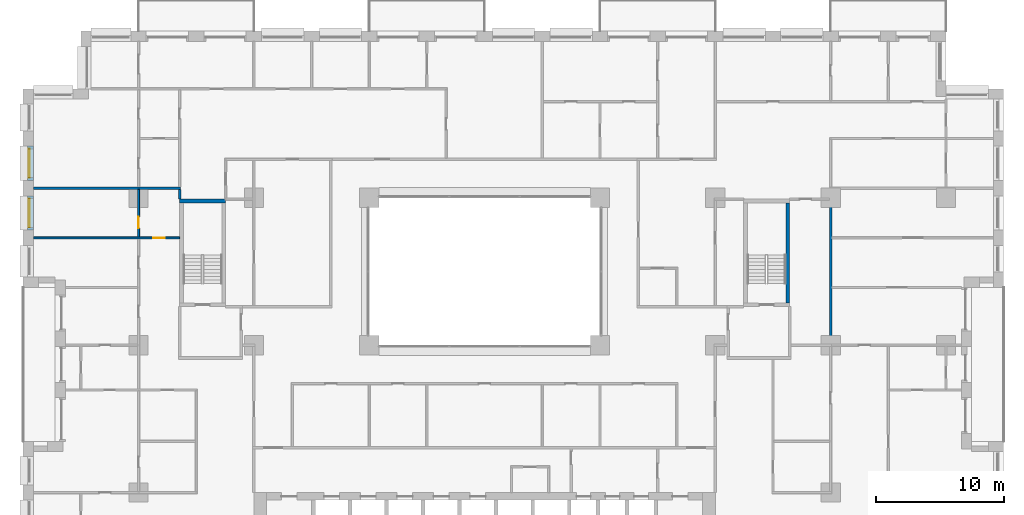
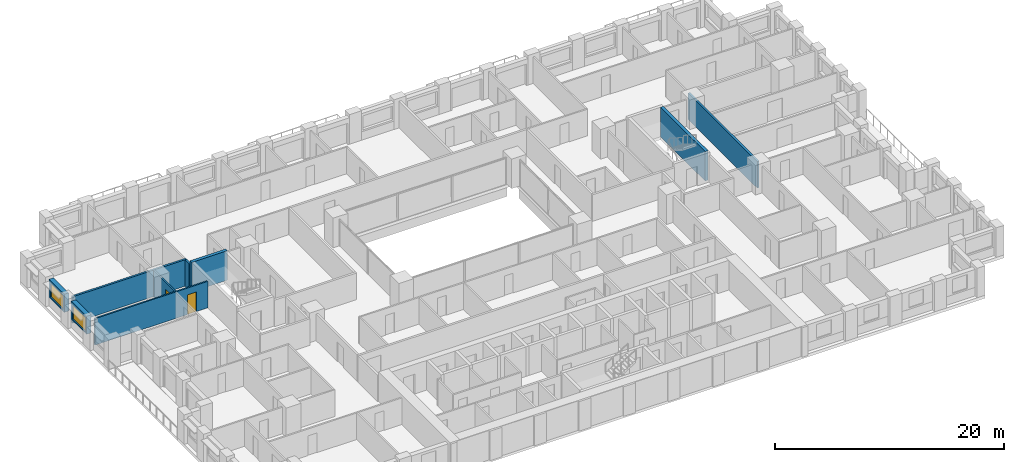
# One storey, part 13 of 20: 9 walls, 2 doors, 2 windows, 4 openings.
"""IFC4 building model written with IfcOpenShell, lengths in metres."""

from ifc_helpers import new_model, si_unit, direction, frame, frame_2d, origin, place, context, subcontext, project, spatial, rectangle, extrude, material, layer, layer_set, type_object, element, fill, save


model = new_model("IFC4")

# Units and contexts
model_context = context("Model", 3, precision=1e-05, world=origin(), true_north=direction((0.0, 1.0)))
body_context = subcontext(model_context, "Body", "Model", "MODEL_VIEW")
ifc_project = project(units=[si_unit("LENGTHUNIT", "METRE"), si_unit("AREAUNIT", "SQUARE_METRE"), si_unit("VOLUMEUNIT", "CUBIC_METRE"), si_unit("PLANEANGLEUNIT", "RADIAN"), si_unit("MASSUNIT", "GRAM", prefix="KILO")], contexts=[model_context])

# Site, building, storey
site_placement = place(None, origin())
site = spatial("IfcSite", under=ifc_project, at=site_placement, CompositionType="ELEMENT")
building_placement = place(site_placement, origin())
building = spatial("IfcBuilding", under=site, at=building_placement, Name="Brigalow Station Residences", CompositionType="ELEMENT")
storey_placement = place(building_placement, frame((0.0, 0.0, 44.699951171875)))
storey = spatial("IfcBuildingStorey", under=building, at=storey_placement, Name="L12", CompositionType="ELEMENT", Elevation=44.699951171875)

# Wall, opening, window
ifc_material_1 = material(Name="Clay brick masonry", Category="masonry")
ifc_layer_1 = layer(ifc_material_1, 0.449951171875)
ifc_layer_set_1 = layer_set([ifc_layer_1], Name="BRICK INFILL WALL 450")
wall_type_1 = type_object("IfcWallType", Name="BRICK INFILL WALL 450", PredefinedType="SOLIDWALL", material=ifc_layer_set_1)
wall_1_placement = place(storey_placement, frame((0.574951171875, 39.52490234375, 0.900146484375), z_axis=(0.0, 0.0, 1.0), x_axis=(0.0, -1.0, 0.0)))
wall_1 = element("IfcWall", 1, at=wall_1_placement, inside=storey, type_object=wall_type_1, Name="L12/ewall/W-L12-43", PredefinedType="SOLIDWALL", context=body_context, shape_type="SweptSolid", body=[
    extrude(rectangle(XDim=2.6748046875, YDim=0.449951171875, at=frame_2d((1.33740234375, 0.0))), origin(), (0.0, 0.0, 1.0), 1.929931640625),
])
opening_1_placement = place(wall_1_placement, frame((0.21240234375, 0.0, 0.14990234375)))
opening_1 = element("IfcOpeningElement", 2, at=opening_1_placement, cuts=wall_1, Name="Opening WT-6", PredefinedType="OPENING", context=body_context, shape_type="SweptSolid", body=[
    extrude(rectangle(XDim=2.25, YDim=1.5, at=frame_2d((1.125, 0.75))), frame((0.0, 0.23486328125, 0.0), z_axis=(0.0, -1.0, 0.0), x_axis=(1.0, 0.0, 0.0)), (0.0, 0.0, 1.0), 0.469970703125),
])
ifc_material_2 = material(Name="Anodised aluminium frame with double glazing", Category="aluminium")
window_type = type_object("IfcWindowType", Name="WINDOW 2250x1500", PartitioningType="SINGLE_PANEL", PredefinedType="WINDOW", material=ifc_material_2)
window_1_placement = place(opening_1_placement, origin())
window_1 = element("IfcWindow", 3, at=window_1_placement, inside=storey, type_object=window_type, Name="L12/window/W-L12-43", OverallHeight=1.5, OverallWidth=2.25, PartitioningType="SINGLE_PANEL", PredefinedType="WINDOW", context=body_context, shape_type="SweptSolid", body=[
    extrude(rectangle(XDim=2.25, YDim=1.5, at=frame_2d((1.125, 0.75))), frame((0.0, -0.06494140625, 0.0), z_axis=(0.0, -1.0, 0.0), x_axis=(1.0, 0.0, 0.0)), (0.0, 0.0, 1.0), 0.06005859375),
])
fill(opening_1, window_1)

wall_2_placement = place(storey_placement, frame((0.574951171875, 35.64990234375, 0.900146484375), z_axis=(0.0, 0.0, 1.0), x_axis=(0.0, -1.0, 0.0)))
wall_2 = element("IfcWall", 4, at=wall_2_placement, inside=storey, type_object=wall_type_1, Name="L12/ewall/W-L12-44", PredefinedType="SOLIDWALL", context=body_context, shape_type="SweptSolid", body=[
    extrude(rectangle(XDim=2.6748046875, YDim=0.449951171875, at=frame_2d((1.33740234375, 0.0))), origin(), (0.0, 0.0, 1.0), 1.929931640625),
])
opening_2_placement = place(wall_2_placement, frame((0.21240234375, 0.0, 0.14990234375)))
opening_2 = element("IfcOpeningElement", 5, at=opening_2_placement, cuts=wall_2, Name="Opening WT-6", PredefinedType="OPENING", context=body_context, shape_type="SweptSolid", body=[
    extrude(rectangle(XDim=2.25, YDim=1.5, at=frame_2d((1.125, 0.75))), frame((0.0, 0.23486328125, 0.0), z_axis=(0.0, -1.0, 0.0), x_axis=(1.0, 0.0, 0.0)), (0.0, 0.0, 1.0), 0.469970703125),
])
window_2_placement = place(opening_2_placement, origin())
window_2 = element("IfcWindow", 6, at=window_2_placement, inside=storey, type_object=window_type, Name="L12/window/W-L12-44", OverallHeight=1.5, OverallWidth=2.25, PartitioningType="SINGLE_PANEL", PredefinedType="WINDOW", context=body_context, shape_type="SweptSolid", body=[
    extrude(rectangle(XDim=2.25, YDim=1.5, at=frame_2d((1.125, 0.75))), frame((0.0, -0.06494140625, 0.0), z_axis=(0.0, -1.0, 0.0), x_axis=(1.0, 0.0, 0.0)), (0.0, 0.0, 1.0), 0.06005859375),
])
fill(opening_2, window_2)

# Walls
ifc_material_3 = material(Name="Concrete C80", Category="concrete")
ifc_layer_2 = layer(ifc_material_3, 0.300048828125)
ifc_layer_set_2 = layer_set([ifc_layer_2], Name="CORE SHEAR WALL 300 C80")
wall_type_2 = type_object("IfcWallType", Name="CORE SHEAR WALL 300 C80", PredefinedType="SHEAR", material=ifc_layer_set_2)
wall_3_placement = place(storey_placement, frame((12.199951171875, 35.25, 0.0), z_axis=(0.0, 0.0, 1.0), x_axis=(1.0, 0.0, 0.0)))
element("IfcWall", 7, at=wall_3_placement, inside=storey, type_object=wall_type_2, Name="CORE WALL ST-S1-N L12", PredefinedType="SHEAR", context=body_context, shape_type="SweptSolid", body=[
    extrude(rectangle(XDim=3.60009765625, YDim=0.300048828125, at=frame_2d((1.800048828125, 0.0))), origin(), (0.0, 0.0, 1.0), 3.150146484375),
])
wall_4_placement = place(storey_placement, frame((59.64990234375, 27.300048828125, 0.0), z_axis=(0.0, 0.0, 1.0), x_axis=(0.0, 1.0, 0.0)))
element("IfcWall", 8, at=wall_4_placement, inside=storey, type_object=wall_type_2, Name="CORE WALL ST-S3-E L12", PredefinedType="SHEAR", context=body_context, shape_type="SweptSolid", body=[
    extrude(rectangle(XDim=7.800048828125, YDim=0.300048828125, at=frame_2d((3.89990234375, 0.0))), origin(), (0.0, 0.0, 1.0), 3.150146484375),
])

# Wall, opening, door
ifc_material_4 = material(Name="Plasterboard on steel stud partition", Category="steel")
ifc_layer_3 = layer(ifc_material_4, 0.14990234375)
ifc_layer_set_3 = layer_set([ifc_layer_3], Name="FLAT PARTITION 150")
wall_type_3 = type_object("IfcWallType", Name="FLAT PARTITION 150", PredefinedType="PARTITIONING", material=ifc_layer_set_3)
wall_5_placement = place(storey_placement, frame((0.800048828125, 32.375, 0.0), z_axis=(0.0, 0.0, 1.0), x_axis=(1.0, 0.0, 0.0)))
wall_5 = element("IfcWall", 9, at=wall_5_placement, inside=storey, type_object=wall_type_3, Name="PW-1C19", PredefinedType="PARTITIONING", context=body_context, shape_type="SweptSolid", body=[
    extrude(rectangle(XDim=11.39990234375, YDim=0.14990234375, at=frame_2d((5.699951171875, 0.0))), origin(), (0.0, 0.0, 1.0), 2.830078125),
])
opening_3_placement = place(wall_5_placement, frame((9.35009765625, 0.0, 0.0)))
opening_3 = element("IfcOpeningElement", 10, at=opening_3_placement, cuts=wall_5, Name="Opening D-1C13", PredefinedType="OPENING", context=body_context, shape_type="SweptSolid", body=[
    extrude(rectangle(XDim=0.89990234375, YDim=2.10009765625, at=frame_2d((0.449951171875, 1.050048828125))), frame((0.0, 0.0849609375, 0.0), z_axis=(0.0, -1.0, 0.0), x_axis=(1.0, 0.0, 0.0)), (0.0, 0.0, 1.0), 0.169921875),
])
ifc_material_5 = material(Name="Solid-core timber door leaf", Category="wood")
door_type = type_object("IfcDoorType", Name="INTERNAL DOOR 900 x 2100", OperationType="SINGLE_SWING_LEFT", PredefinedType="DOOR", material=ifc_material_5)
door_1_placement = place(opening_3_placement, origin())
door_1 = element("IfcDoor", 11, at=door_1_placement, inside=storey, type_object=door_type, Name="D-1C13", OperationType="SINGLE_SWING_LEFT", OverallHeight=2.10009765625, OverallWidth=0.89990234375, PredefinedType="DOOR", context=body_context, shape_type="SweptSolid", body=[
    extrude(rectangle(XDim=0.89990234375, YDim=2.10009765625, at=frame_2d((0.449951171875, 1.050048828125))), frame((0.0, 0.02490234375, 0.0), z_axis=(0.0, -1.0, 0.0), x_axis=(1.0, 0.0, 0.0)), (0.0, 0.0, 1.0), 0.050048828125),
])
fill(opening_3, door_1)

wall_6_placement = place(storey_placement, frame((9.0, 32.449951171875, 0.0), z_axis=(0.0, 0.0, 1.0), x_axis=(0.0, 1.0, 0.0)))
wall_6 = element("IfcWall", 12, at=wall_6_placement, inside=storey, type_object=wall_type_3, Name="PW-1C55", PredefinedType="PARTITIONING", context=body_context, shape_type="SweptSolid", body=[
    extrude(rectangle(XDim=3.699951171875, YDim=0.14990234375, at=frame_2d((1.85009765625, 0.0))), origin(), (0.0, 0.0, 1.0), 2.830078125),
])
opening_4_placement = place(wall_6_placement, frame((0.662109375, 0.0, 0.0)))
opening_4 = element("IfcOpeningElement", 13, at=opening_4_placement, cuts=wall_6, Name="Opening D-1C16", PredefinedType="OPENING", context=body_context, shape_type="SweptSolid", body=[
    extrude(rectangle(XDim=0.89990234375, YDim=2.10009765625, at=frame_2d((0.449951171875, 1.050048828125))), frame((0.0, 0.0849609375, 0.0), z_axis=(0.0, -1.0, 0.0), x_axis=(1.0, 0.0, 0.0)), (0.0, 0.0, 1.0), 0.169921875),
])
door_2_placement = place(opening_4_placement, frame((0.89990234375, 0.0, 0.0), z_axis=(0.0, 0.0, 1.0), x_axis=(-1.0, 0.0, 0.0)))
door_2 = element("IfcDoor", 14, at=door_2_placement, inside=storey, type_object=door_type, Name="D-1C16", OperationType="SINGLE_SWING_RIGHT", OverallHeight=2.10009765625, OverallWidth=0.89990234375, PredefinedType="DOOR", context=body_context, shape_type="SweptSolid", body=[
    extrude(rectangle(XDim=0.89990234375, YDim=2.10009765625, at=frame_2d((0.449951171875, 1.050048828125))), frame((0.0, 0.02490234375, 0.0), z_axis=(0.0, -1.0, 0.0), x_axis=(1.0, 0.0, 0.0)), (0.0, 0.0, 1.0), 0.050048828125),
])
fill(opening_4, door_2)

# Walls
ifc_material_6 = material(Name="Plasterboard on steel stud partition", Category="steel")
ifc_layer_4 = layer(ifc_material_6, 0.199951171875)
ifc_layer_set_4 = layer_set([ifc_layer_4], Name="PARTY AND CORRIDOR WALL 200")
wall_type_4 = type_object("IfcWallType", Name="PARTY AND CORRIDOR WALL 200", PredefinedType="PARTITIONING", material=ifc_layer_set_4)
wall_7_placement = place(storey_placement, frame((0.800048828125, 36.25, 0.0), z_axis=(0.0, 0.0, 1.0), x_axis=(1.0, 0.0, 0.0)))
element("IfcWall", 15, at=wall_7_placement, inside=storey, type_object=wall_type_4, Name="PW-1C25", PredefinedType="PARTITIONING", context=body_context, shape_type="SweptSolid", body=[
    extrude(rectangle(XDim=11.474853515625, YDim=0.199951171875, at=frame_2d((5.7373046875, 0.0))), origin(), (0.0, 0.0, 1.0), 2.830078125),
])
wall_8_placement = place(storey_placement, frame((12.199951171875, 35.39990234375, 0.0), z_axis=(0.0, 0.0, 1.0), x_axis=(0.0, 1.0, 0.0)))
element("IfcWall", 16, at=wall_8_placement, inside=storey, type_object=wall_type_4, Name="PW-1C59", PredefinedType="PARTITIONING", context=body_context, shape_type="SweptSolid", body=[
    extrude(rectangle(XDim=0.75, YDim=0.199951171875, at=frame_2d((0.375, 0.0))), origin(), (0.0, 0.0, 1.0), 2.830078125),
])
wall_9_placement = place(storey_placement, frame((63.0, 24.074951171875, 0.0), z_axis=(0.0, 0.0, 1.0), x_axis=(0.0, 1.0, 0.0)))
element("IfcWall", 17, at=wall_9_placement, inside=storey, type_object=wall_type_4, Name="PW-1C73", PredefinedType="PARTITIONING", context=body_context, shape_type="SweptSolid", body=[
    extrude(rectangle(XDim=12.074951171875, YDim=0.199951171875, at=frame_2d((6.03759765625, 0.0))), origin(), (0.0, 0.0, 1.0), 2.830078125),
])

save(model, "model.ifc")
